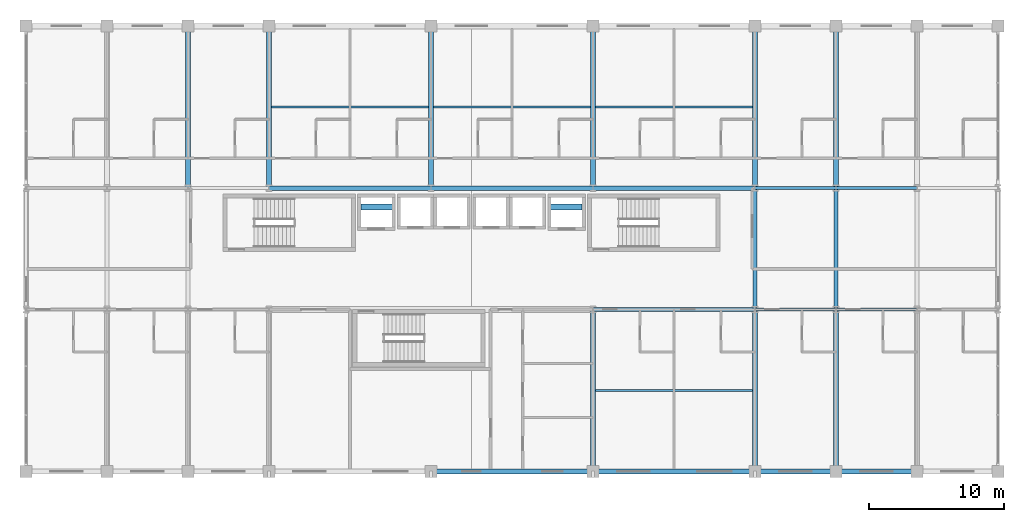
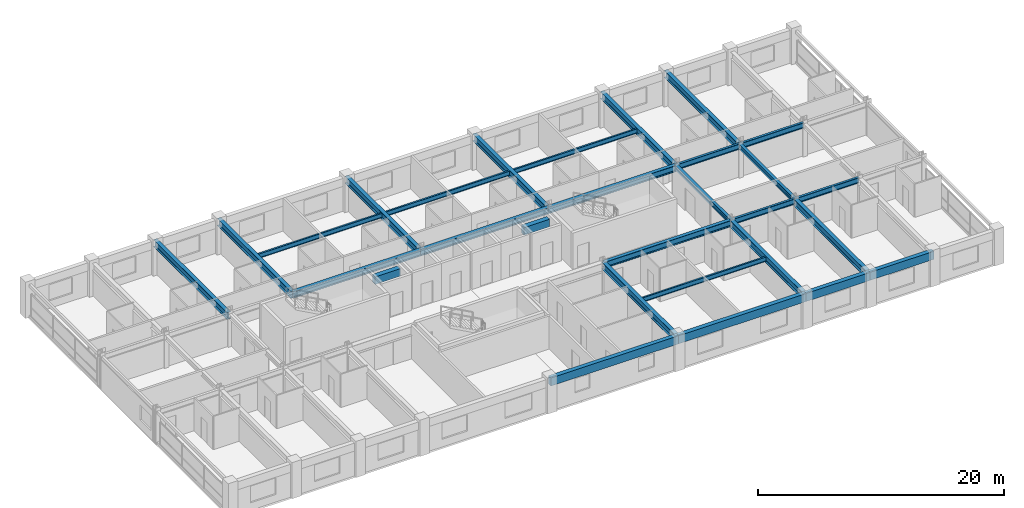
# One storey, part 9 of 22: 29 beams.
"""IFC4 building model written with IfcOpenShell, lengths in metres."""

from ifc_helpers import new_model, si_unit, direction, frame, origin, origin_2d, place, context, subcontext, project, spatial, rectangle, i_section, extrude, material, material_profile, profile_set, type_object, element, save


model = new_model("IFC4")

# Units and contexts
model_context = context("Model", 3, precision=1e-05, world=origin(), true_north=direction((0.0, 1.0)))
body_context = subcontext(model_context, "Body", "Model", "MODEL_VIEW")
ifc_project = project(units=[si_unit("LENGTHUNIT", "METRE"), si_unit("AREAUNIT", "SQUARE_METRE"), si_unit("VOLUMEUNIT", "CUBIC_METRE"), si_unit("PLANEANGLEUNIT", "RADIAN"), si_unit("MASSUNIT", "GRAM", prefix="KILO")], contexts=[model_context])

# Site, building, storey
site_placement = place(None, origin())
site = spatial("IfcSite", under=ifc_project, at=site_placement, CompositionType="ELEMENT")
building_placement = place(site_placement, origin())
building = spatial("IfcBuilding", under=site, at=building_placement, Name="Kaldorvane Square Convention Centre", CompositionType="ELEMENT")
storey_placement = place(building_placement, frame((0.0, 0.0, 31.199996948242188)))
storey = spatial("IfcBuildingStorey", under=building, at=storey_placement, Name="L06", CompositionType="ELEMENT", Elevation=31.199996948242188)

# Beams
ifc_material_1 = material(Name="Steel ASTM A992 Gr. 50", Category="steel")
ifc_material_profile_1 = material_profile(ifc_material_1, i_section(OverallWidth=0.213897705078125, OverallDepth=0.549102783203125, WebThickness=0.0146942138671875, FlangeThickness=0.0236053466796875, FilletRadius=0.0126953125, at=origin_2d()), Name="W21X93")
ifc_profile_set_1 = profile_set([ifc_material_profile_1], Name="Steel ASTM A992 Gr. 50")
beam_type_1 = type_object("IfcBeamType", Name="BM-GR-W21X93", PredefinedType="BEAM", material=ifc_profile_set_1)
for number, where, z_axis, x_axis, name in (
    (1, (78.0, 96.0, 3.0113983154296875), (1.0, 0.0, 0.0), (0.0, 1.0, 0.0), "Primary Girder (L06)"),
    (2, (84.0, 96.0, 3.0113983154296875), (1.0, 0.0, 0.0), (0.0, 1.0, 0.0), "Primary Girder (L06)"),
    (3, (78.0, 105.0, 3.0113983154296875), (1.0, 0.0, 0.0), (0.0, 1.0, 0.0), "Primary Girder (L06)"),
    (4, (84.0, 105.0, 3.0113983154296875), (1.0, 0.0, 0.0), (0.0, 1.0, 0.0), "Primary Girder (L06)"),
):
    element("IfcBeam", number, at=place(storey_placement, frame(where, z_axis=z_axis, x_axis=x_axis)), inside=storey, type_object=beam_type_1, Name=name, PredefinedType="BEAM", context=body_context, shape_type="SweptSolid", body=[
        extrude(i_section(OverallWidth=0.213897705078125, OverallDepth=0.549102783203125, WebThickness=0.0146942138671875, FlangeThickness=0.0236053466796875, FilletRadius=0.0126953125, at=origin_2d()), origin(), (0.0, 0.0, 1.0), 6.0),
    ])
ifc_material_profile_2 = material_profile(ifc_material_1, i_section(OverallWidth=0.326507568359375, OverallDepth=0.621795654296875, WebThickness=0.0153961181640625, FlangeThickness=0.0243988037109375, FilletRadius=0.0126953125, at=origin_2d()), Name="W24X131")
ifc_profile_set_2 = profile_set([ifc_material_profile_2], Name="Steel ASTM A992 Gr. 50")
beam_type_2 = type_object("IfcBeamType", Name="BM-GR-W24X131", PredefinedType="BEAM", material=ifc_profile_set_2)
for number, where, z_axis, x_axis, name in (
    (5, (66.0, 96.0, 2.97509765625), (1.0, 0.0, 0.0), (0.0, 1.0, 0.0), "Primary Girder (L06)"),
    (6, (42.0, 105.0, 2.97509765625), (1.0, 0.0, 0.0), (0.0, 1.0, 0.0), "Primary Girder (L06)"),
    (7, (54.0, 105.0, 2.97509765625), (1.0, 0.0, 0.0), (0.0, 1.0, 0.0), "Primary Girder (L06)"),
    (8, (66.0, 105.0, 2.97509765625), (1.0, 0.0, 0.0), (0.0, 1.0, 0.0), "Primary Girder (L06)"),
):
    element("IfcBeam", number, at=place(storey_placement, frame(where, z_axis=z_axis, x_axis=x_axis)), inside=storey, type_object=beam_type_2, Name=name, PredefinedType="BEAM", context=body_context, shape_type="SweptSolid", body=[
        extrude(i_section(OverallWidth=0.326507568359375, OverallDepth=0.621795654296875, WebThickness=0.0153961181640625, FlangeThickness=0.0243988037109375, FilletRadius=0.0126953125, at=origin_2d()), origin(), (0.0, 0.0, 1.0), 12.0),
    ])
ifc_material_profile_3 = material_profile(ifc_material_1, i_section(OverallWidth=0.354705810546875, OverallDepth=0.69549560546875, WebThickness=0.0153961181640625, FlangeThickness=0.0251007080078125, FilletRadius=0.01519775390625, at=origin_2d()), Name="W27X146")
ifc_profile_set_3 = profile_set([ifc_material_profile_3], Name="Steel ASTM A992 Gr. 50")
beam_type_3 = type_object("IfcBeamType", Name="BM-GR-W27X146", PredefinedType="BEAM", material=ifc_profile_set_3)
for number, where, z_axis, x_axis, name in (
    (9, (36.0, 105.0, 2.938201904296875), (0.0, 1.0, 0.0), (-1.0, 0.0, 0.0), "Transverse Girder (L06)"),
    (10, (42.0, 105.0, 2.938201904296875), (0.0, 1.0, 0.0), (-1.0, 0.0, 0.0), "Transverse Girder (L06)"),
    (11, (54.0, 105.0, 2.938201904296875), (0.0, 1.0, 0.0), (-1.0, 0.0, 0.0), "Transverse Girder (L06)"),
    (12, (66.0, 84.0, 2.938201904296875), (0.0, 1.0, 0.0), (-1.0, 0.0, 0.0), "Transverse Girder (L06)"),
    (13, (66.0, 105.0, 2.938201904296875), (0.0, 1.0, 0.0), (-1.0, 0.0, 0.0), "Transverse Girder (L06)"),
    (14, (78.0, 84.0, 2.938201904296875), (0.0, 1.0, 0.0), (-1.0, 0.0, 0.0), "Transverse Girder (L06)"),
    (15, (78.0, 105.0, 2.938201904296875), (0.0, 1.0, 0.0), (-1.0, 0.0, 0.0), "Transverse Girder (L06)"),
    (16, (84.0, 84.0, 2.938201904296875), (0.0, 1.0, 0.0), (-1.0, 0.0, 0.0), "Transverse Girder (L06)"),
    (17, (84.0, 105.0, 2.938201904296875), (0.0, 1.0, 0.0), (-1.0, 0.0, 0.0), "Transverse Girder (L06)"),
):
    element("IfcBeam", number, at=place(storey_placement, frame(where, z_axis=z_axis, x_axis=x_axis)), inside=storey, type_object=beam_type_3, Name=name, PredefinedType="BEAM", context=body_context, shape_type="SweptSolid", body=[
        extrude(i_section(OverallWidth=0.354705810546875, OverallDepth=0.69549560546875, WebThickness=0.0153961181640625, FlangeThickness=0.0251007080078125, FilletRadius=0.01519775390625, at=origin_2d()), origin(), (0.0, 0.0, 1.0), 12.0),
    ])
ifc_material_profile_4 = material_profile(ifc_material_1, i_section(OverallWidth=0.152801513671875, OverallDepth=0.4546966552734375, WebThickness=0.00799560546875, FlangeThickness=0.0133056640625, FilletRadius=0.01019287109375, at=origin_2d()), Name="W18X40")
ifc_profile_set_4 = profile_set([ifc_material_profile_4], Name="Steel ASTM A992 Gr. 50")
beam_type_4 = type_object("IfcBeamType", Name="BM-JS-W18X40", PredefinedType="JOIST", material=ifc_profile_set_4)
beam_1_placement = place(storey_placement, frame((66.17739868164062, 90.0, 3.0586090087890625), z_axis=(1.0, 0.0, 0.0), x_axis=(0.0, 1.0, 0.0)))
element("IfcBeam", 18, at=beam_1_placement, inside=storey, type_object=beam_type_4, Name="Secondary Floor Joist (L06)", PredefinedType="JOIST", context=body_context, shape_type="SweptSolid", body=[
    extrude(i_section(OverallWidth=0.152801513671875, OverallDepth=0.4546966552734375, WebThickness=0.00799560546875, FlangeThickness=0.0133056640625, FilletRadius=0.01019287109375, at=origin_2d()), origin(), (0.0, 0.0, 1.0), 11.64520263671875),
])
beam_2_placement = place(storey_placement, frame((42.17730712890625, 111.0, 3.0586090087890625), z_axis=(1.0, 0.0, 0.0), x_axis=(0.0, 1.0, 0.0)))
element("IfcBeam", 19, at=beam_2_placement, inside=storey, type_object=beam_type_4, Name="Secondary Floor Joist (L06)", PredefinedType="JOIST", context=body_context, shape_type="SweptSolid", body=[
    extrude(i_section(OverallWidth=0.152801513671875, OverallDepth=0.4546966552734375, WebThickness=0.00799560546875, FlangeThickness=0.0133056640625, FilletRadius=0.01019287109375, at=origin_2d()), origin(), (0.0, 0.0, 1.0), 11.6453857421875),
])
beam_3_placement = place(storey_placement, frame((54.17730712890625, 111.0, 3.0586090087890625), z_axis=(1.0, 0.0, 0.0), x_axis=(0.0, 1.0, 0.0)))
element("IfcBeam", 20, at=beam_3_placement, inside=storey, type_object=beam_type_4, Name="Secondary Floor Joist (L06)", PredefinedType="JOIST", context=body_context, shape_type="SweptSolid", body=[
    extrude(i_section(OverallWidth=0.152801513671875, OverallDepth=0.4546966552734375, WebThickness=0.00799560546875, FlangeThickness=0.0133056640625, FilletRadius=0.01019287109375, at=origin_2d()), origin(), (0.0, 0.0, 1.0), 11.645294189453125),
])
beam_4_placement = place(storey_placement, frame((66.17739868164062, 111.0, 3.0586090087890625), z_axis=(1.0, 0.0, 0.0), x_axis=(0.0, 1.0, 0.0)))
element("IfcBeam", 21, at=beam_4_placement, inside=storey, type_object=beam_type_4, Name="Secondary Floor Joist (L06)", PredefinedType="JOIST", context=body_context, shape_type="SweptSolid", body=[
    extrude(i_section(OverallWidth=0.152801513671875, OverallDepth=0.4546966552734375, WebThickness=0.00799560546875, FlangeThickness=0.0133056640625, FilletRadius=0.01019287109375, at=origin_2d()), origin(), (0.0, 0.0, 1.0), 11.64520263671875),
])
ifc_material_profile_5 = material_profile(ifc_material_1, i_section(OverallWidth=0.2799072265625, OverallDepth=0.462799072265625, WebThickness=0.01080322265625, FlangeThickness=0.017303466796875, FilletRadius=0.01019287109375, at=origin_2d()), Name="W18X76")
ifc_profile_set_5 = profile_set([ifc_material_profile_5], Name="Steel ASTM A992 Gr. 50")
beam_type_5 = type_object("IfcBeamType", Name="BM-JS-W18X76", PredefinedType="JOIST", material=ifc_profile_set_5)
for number, where, z_axis, x_axis, name in (
    (22, (78.0, 96.0, 3.054595947265625), (0.0, 1.0, 0.0), (-1.0, 0.0, 0.0), "Transverse Girder (L06)"),
    (23, (84.0, 96.0, 3.054595947265625), (0.0, 1.0, 0.0), (-1.0, 0.0, 0.0), "Transverse Girder (L06)"),
):
    element("IfcBeam", number, at=place(storey_placement, frame(where, z_axis=z_axis, x_axis=x_axis)), inside=storey, type_object=beam_type_5, Name=name, PredefinedType="JOIST", context=body_context, shape_type="SweptSolid", body=[
        extrude(i_section(OverallWidth=0.2799072265625, OverallDepth=0.462799072265625, WebThickness=0.01080322265625, FlangeThickness=0.017303466796875, FilletRadius=0.01019287109375, at=origin_2d()), origin(), (0.0, 0.0, 1.0), 9.0),
    ])
ifc_material_2 = material(Name="Concrete f'c = 42 MPa (Normalweight)", Category="concrete")
ifc_material_profile_6 = material_profile(ifc_material_2, rectangle(XDim=0.4499969482421875, YDim=0.75, at=origin_2d()), Name="RCLN750X450")
ifc_profile_set_6 = profile_set([ifc_material_profile_6], Name="Concrete f'c = 42 MPa (Normalweight)")
beam_type_6 = type_object("IfcBeamType", Name="BM-LN-RC750", PredefinedType="LINTEL", material=ifc_profile_set_6)
for number, where, z_axis, x_axis, name in (
    (24, (48.80000305175781, 103.60000610351562, 2.9130096435546875), (1.0, 0.0, 0.0), (0.0, 1.0, 0.0), "Core Coupling Lintel W (L06)"),
    (25, (62.80000305175781, 103.60000610351562, 2.9130096435546875), (1.0, 0.0, 0.0), (0.0, 1.0, 0.0), "Core Coupling Lintel E (L06)"),
):
    element("IfcBeam", number, at=place(storey_placement, frame(where, z_axis=z_axis, x_axis=x_axis)), inside=storey, type_object=beam_type_6, Name=name, PredefinedType="LINTEL", context=body_context, shape_type="SweptSolid", body=[
        extrude(rectangle(XDim=0.4499969482421875, YDim=0.75, at=origin_2d()), origin(), (0.0, 0.0, 1.0), 2.399993896484375),
    ])
ifc_material_profile_7 = material_profile(ifc_material_2, rectangle(XDim=0.399993896484375, YDim=0.8000030517578125, at=origin_2d()), Name="RCSP800X400")
ifc_profile_set_7 = profile_set([ifc_material_profile_7], Name="Concrete f'c = 42 MPa (Normalweight)")
beam_type_7 = type_object("IfcBeamType", Name="BM-SP-RC800", PredefinedType="SPANDREL", material=ifc_profile_set_7)
for number, where, z_axis, x_axis, name in (
    (26, (54.0, 84.0, 2.8860015869140625), (1.0, 0.0, 0.0), (0.0, 1.0, 0.0), "Perimeter Spandrel (L06)"),
    (27, (66.0, 84.0, 2.8860015869140625), (1.0, 0.0, 0.0), (0.0, 1.0, 0.0), "Perimeter Spandrel (L06)"),
):
    element("IfcBeam", number, at=place(storey_placement, frame(where, z_axis=z_axis, x_axis=x_axis)), inside=storey, type_object=beam_type_7, Name=name, PredefinedType="SPANDREL", context=body_context, shape_type="SweptSolid", body=[
        extrude(rectangle(XDim=0.399993896484375, YDim=0.8000030517578125, at=origin_2d()), origin(), (0.0, 0.0, 1.0), 12.0),
    ])
for number, where, z_axis, x_axis, name in (
    (28, (78.0, 84.0, 2.8860015869140625), (1.0, 0.0, 0.0), (0.0, 1.0, 0.0), "Perimeter Spandrel (L06)"),
    (29, (84.0, 84.0, 2.8860015869140625), (1.0, 0.0, 0.0), (0.0, 1.0, 0.0), "Perimeter Spandrel (L06)"),
):
    element("IfcBeam", number, at=place(storey_placement, frame(where, z_axis=z_axis, x_axis=x_axis)), inside=storey, type_object=beam_type_7, Name=name, PredefinedType="SPANDREL", context=body_context, shape_type="SweptSolid", body=[
        extrude(rectangle(XDim=0.399993896484375, YDim=0.8000030517578125, at=origin_2d()), origin(), (0.0, 0.0, 1.0), 6.0),
    ])

save(model, "model.ifc")
